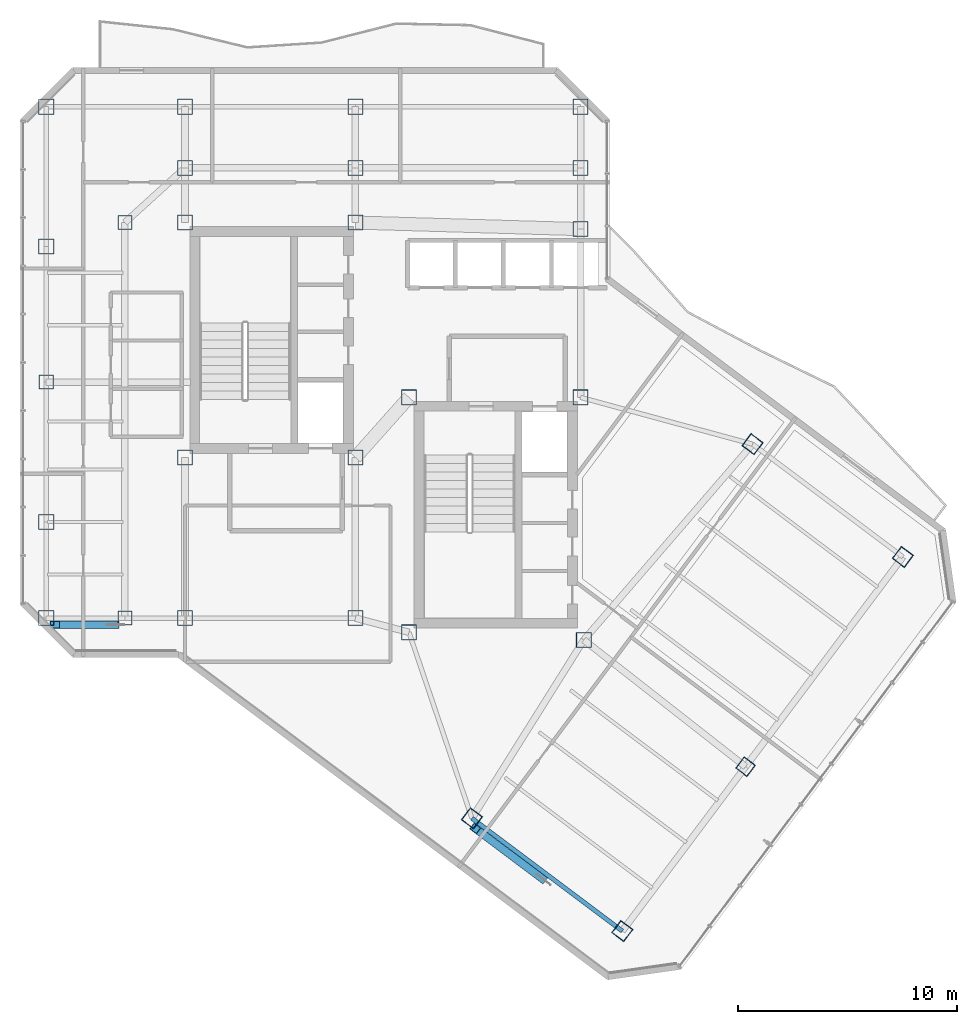
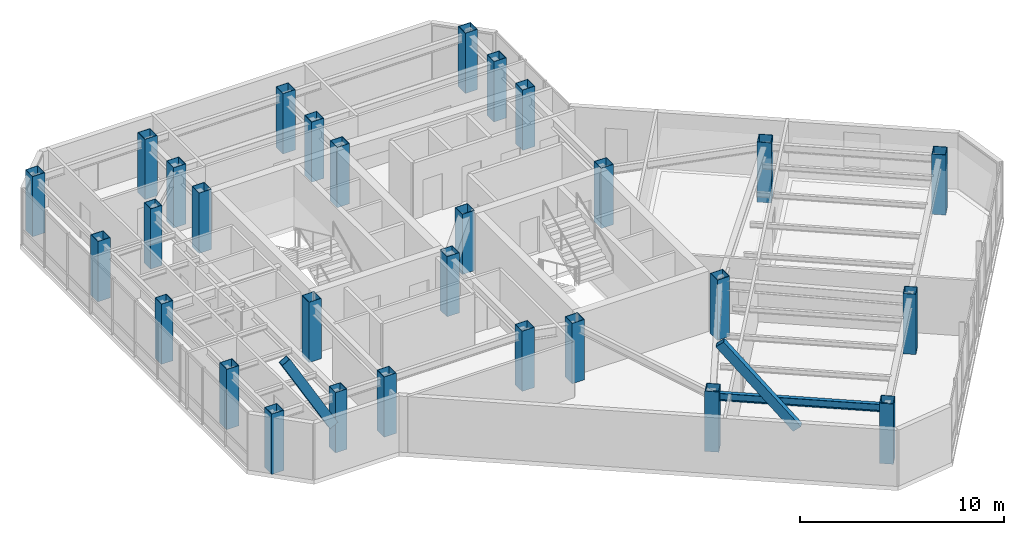
# One storey, part 1 of 25: 29 columns, 2 members, 1 beam.
"""IFC4 building model written with IfcOpenShell, lengths in metres."""

from ifc_helpers import new_model, si_unit, direction, frame, origin, origin_2d, place, context, subcontext, project, spatial, hollow_rectangle, i_section, extrude, material, material_profile, profile_set, type_object, element, save


model = new_model("IFC4")

# Units and contexts
model_context = context("Model", 3, precision=1e-05, world=origin(), true_north=direction((0.0, 1.0)))
body_context = subcontext(model_context, "Body", "Model", "MODEL_VIEW")
ifc_project = project(units=[si_unit("LENGTHUNIT", "METRE"), si_unit("AREAUNIT", "SQUARE_METRE"), si_unit("VOLUMEUNIT", "CUBIC_METRE"), si_unit("PLANEANGLEUNIT", "RADIAN"), si_unit("MASSUNIT", "GRAM", prefix="KILO")], contexts=[model_context])

# Site, building, storey
site_placement = place(None, origin())
site = spatial("IfcSite", under=ifc_project, at=site_placement, CompositionType="ELEMENT")
building_placement = place(site_placement, origin())
building = spatial("IfcBuilding", under=site, at=building_placement, Name="Hatsunagi Terrace Concourse", CompositionType="ELEMENT")
storey_placement = place(building_placement, frame((0.0, 0.0, 216.75)))
storey = spatial("IfcBuildingStorey", under=building, at=storey_placement, Name="L57", CompositionType="ELEMENT", Elevation=216.75)

# Columns
ifc_material_1 = material(Name="Steel BCP325T", Category="steel")
ifc_material_profile_1 = material_profile(ifc_material_1, hollow_rectangle(XDim=0.64990234375, YDim=0.64990234375, WallThickness=0.02490234375, at=origin_2d()), Name="BCP-650x650x25")
ifc_profile_set_1 = profile_set([ifc_material_profile_1], Name="Steel BCP325T")
column_type_1 = type_object("IfcColumnType", Name="TowerBoxColumn_650x650x25", PredefinedType="COLUMN", material=ifc_profile_set_1)
for number, where, z_axis, x_axis, name in (
    (1, (22.800048828125, 25.199951171875, 0.0), (0.0, 0.0, 1.0), (1.0, 0.0, 0.0), "Column C-09 L57-CW1"),
    (2, (22.800048828125, 43.300048828125, 0.0), (0.0, 0.0, 1.0), (1.0, 0.0, 0.0), "Column C-09 L57-CW2"),
    (3, (19.199951171875, 36.0, 0.0), (0.0, 0.0, 1.0), (1.0, 0.0, 0.0), "Column C-09 L57-WT2"),
    (4, (51.199951171875, 18.39990234375, 0.0), (0.0, 0.0, 1.0), (0.799999996291, -0.600000004945, 0.0), "Column C-09 L57-SEM2"),
):
    element("IfcColumn", number, at=place(storey_placement, frame(where, z_axis=z_axis, x_axis=x_axis)), inside=storey, type_object=column_type_1, Name=name, PredefinedType="COLUMN", context=body_context, shape_type="SweptSolid", body=[
        extrude(hollow_rectangle(XDim=0.64990234375, YDim=0.64990234375, WallThickness=0.02490234375, at=origin_2d()), origin(), (0.0, 0.0, 1.0), 3.60009765625),
    ])
ifc_material_2 = material(Name="Steel BCP325T", Category="steel")
ifc_material_profile_2 = material_profile(ifc_material_2, hollow_rectangle(XDim=0.699951171875, YDim=0.699951171875, WallThickness=0.028076171875, at=origin_2d()), Name="BCP-700x700x28")
ifc_profile_set_2 = profile_set([ifc_material_profile_2], Name="Steel BCP325T")
column_type_2 = type_object("IfcColumnType", Name="TowerBoxColumn_700x700x28", PredefinedType="COLUMN", material=ifc_profile_set_2)
for number, where, z_axis, x_axis, name in (
    (5, (25.550048828125, 32.550048828125, 0.0), (0.0, 0.0, 1.0), (1.0, 0.0, 0.0), "Column C-08 L57-CASW"),
    (6, (33.35009765625, 32.550048828125, 0.0), (0.0, 0.0, 1.0), (1.0, 0.0, 0.0), "Column C-08 L57-CASE"),
    (7, (25.550048828125, 43.300048828125, 0.0), (0.0, 0.0, 1.0), (1.0, 0.0, 0.0), "Column C-08 L57-CANW"),
    (8, (33.35009765625, 43.300048828125, 0.0), (0.0, 0.0, 1.0), (1.0, 0.0, 0.0), "Column C-08 L57-CANE"),
    (9, (35.800048828125, 24.550048828125, 0.0), (0.0, 0.0, 1.0), (1.0, 0.0, 0.0), "Column C-08 L57-CBSW"),
    (10, (43.800048828125, 24.199951171875, 0.0), (0.0, 0.0, 1.0), (1.0, 0.0, 0.0), "Column C-08 L57-CBSE"),
    (11, (35.800048828125, 35.300048828125, 0.0), (0.0, 0.0, 1.0), (1.0, 0.0, 0.0), "Column C-08 L57-CBNW"),
    (12, (43.64990234375, 35.300048828125, 0.0), (0.0, 0.0, 1.0), (1.0, 0.0, 0.0), "Column C-08 L57-CBNE"),
    (13, (25.550048828125, 25.199951171875, 0.0), (0.0, 0.0, 1.0), (1.0, 0.0, 0.0), "Column C-08 L57-K1"),
    (14, (33.35009765625, 25.199951171875, 0.0), (0.0, 0.0, 1.0), (1.0, 0.0, 0.0), "Column C-08 L57-K2"),
    (15, (43.64990234375, 43.0, 0.0), (0.0, 0.0, 1.0), (1.0, 0.0, 0.0), "Column C-08 L57-K3"),
    (16, (25.550048828125, 45.800048828125, 0.0), (0.0, 0.0, 1.0), (1.0, 0.0, 0.0), "Column C-08 L57-CN1"),
    (17, (33.35009765625, 45.800048828125, 0.0), (0.0, 0.0, 1.0), (1.0, 0.0, 0.0), "Column C-08 L57-CN2"),
    (18, (43.64990234375, 45.800048828125, 0.0), (0.0, 0.0, 1.0), (1.0, 0.0, 0.0), "Column C-08 L57-CN3"),
    (19, (19.199951171875, 48.60009765625, 0.0), (0.0, 0.0, 1.0), (1.0, 0.0, 0.0), "Column C-08 L57-WN3"),
    (20, (25.550048828125, 48.60009765625, 0.0), (0.0, 0.0, 1.0), (1.0, 0.0, 0.0), "Column C-08 L57-WN4"),
    (21, (33.35009765625, 48.60009765625, 0.0), (0.0, 0.0, 1.0), (1.0, 0.0, 0.0), "Column C-08 L57-WN5"),
    (22, (43.64990234375, 48.60009765625, 0.0), (0.0, 0.0, 1.0), (1.0, 0.0, 0.0), "Column C-08 L57-WN6"),
    (23, (19.199951171875, 25.199951171875, 0.0), (0.0, 0.0, 1.0), (1.0, 0.0, 0.0), "Column C-08 L57-WS3"),
    (24, (19.199951171875, 29.60009765625, 0.0), (0.0, 0.0, 1.0), (1.0, 0.0, 0.0), "Column C-08 L57-WR1"),
    (25, (19.199951171875, 42.199951171875, 0.0), (0.0, 0.0, 1.0), (1.0, 0.0, 0.0), "Column C-08 L57-WR2"),
    (26, (38.679931640625, 16.0400390625, 0.0), (0.0, 0.0, 1.0), (0.799999996291, -0.600000004945, 0.0), "Column C-08 L57-SES1"),
    (27, (51.52001953125, 33.159912109375, 0.0), (0.0, 0.0, 1.0), (0.799999996291, -0.600000004945, 0.0), "Column C-08 L57-SEN1"),
    (28, (45.56005859375, 10.8798828125, 0.0), (0.0, 0.0, 1.0), (0.799999996291, -0.600000004945, 0.0), "Column C-08 L57-SES2"),
    (29, (58.39990234375, 28.0, 0.0), (0.0, 0.0, 1.0), (0.799999996291, -0.600000004945, 0.0), "Column C-08 L57-SEN2"),
):
    element("IfcColumn", number, at=place(storey_placement, frame(where, z_axis=z_axis, x_axis=x_axis)), inside=storey, type_object=column_type_2, Name=name, PredefinedType="COLUMN", context=body_context, shape_type="SweptSolid", body=[
        extrude(hollow_rectangle(XDim=0.699951171875, YDim=0.699951171875, WallThickness=0.028076171875, at=origin_2d()), origin(), (0.0, 0.0, 1.0), 3.60009765625),
    ])

# Beam
ifc_material_3 = material(Name="Steel SN490B", Category="steel")
ifc_material_profile_3 = material_profile(ifc_material_3, i_section(OverallWidth=0.199951171875, OverallDepth=0.449951171875, WebThickness=0.009033203125, FlangeThickness=0.013916015625, FilletRadius=0.01611328125, at=origin_2d()), Name="H-450x200x9x14")
ifc_profile_set_3 = profile_set([ifc_material_profile_3], Name="Steel SN490B")
beam_type = type_object("IfcBeamType", Name="PerimeterSpandrel_H_450x200", PredefinedType="SPANDREL", material=ifc_profile_set_3)
beam_placement = place(storey_placement, frame((38.679931640625, 16.0400390625, 3.125), z_axis=(0.799996593451, -0.600004542038, 0.0), x_axis=(0.600004542038, 0.799996593451, 0.0)))
element("IfcBeam", 30, at=beam_placement, inside=storey, type_object=beam_type, Name="Beam SP-02 BM-L57-SE-SW2", PredefinedType="SPANDREL", context=body_context, shape_type="SweptSolid", body=[
    extrude(i_section(OverallWidth=0.199951171875, OverallDepth=0.449951171875, WebThickness=0.009033203125, FlangeThickness=0.013916015625, FilletRadius=0.01611328125, at=origin_2d()), origin(), (0.0, 0.0, 1.0), 8.60009765625),
])

# Members
ifc_material_4 = material(Name="Steel SN490B", Category="steel")
ifc_material_profile_4 = material_profile(ifc_material_4, hollow_rectangle(XDim=0.35009765625, YDim=0.5, WallThickness=0.02197265625, at=origin_2d()), Name="RHS-500x350x22")
ifc_profile_set_4 = profile_set([ifc_material_profile_4], Name="Steel SN490B")
member_type = type_object("IfcMemberType", Name="PerimeterXBrace_Upper_RHS_500x350x22", PredefinedType="BRACE", material=ifc_profile_set_4)
member_1_placement = place(storey_placement, frame((19.60009765625, 24.89990234375, 6.510009765625), z_axis=(0.497671673411, 0.0, -0.867365497057), x_axis=(0.0, 1.0, 0.0)))
element("IfcMember", 31, at=member_1_placement, inside=storey, type_object=member_type, Name="Perimeter X-Brace Split Upper XB-03 XB-L56-W1B1", PredefinedType="BRACE", context=body_context, shape_type="SweptSolid", body=[
    extrude(hollow_rectangle(XDim=0.35009765625, YDim=0.5, WallThickness=0.02197265625, at=origin_2d()), origin(), (0.0, 0.0, 1.0), 5.43505859375),
])
member_2_placement = place(storey_placement, frame((38.83203125, 15.575927734375, 6.510009765625), z_axis=(0.502319538306, -0.376629081511, -0.778348004685), x_axis=(0.599887279023, 0.800084528326, 0.0)))
element("IfcMember", 32, at=member_2_placement, inside=storey, type_object=member_type, Name="Perimeter X-Brace Split Upper XB-03 XB-L56-SEB1", PredefinedType="BRACE", context=body_context, shape_type="SweptSolid", body=[
    extrude(hollow_rectangle(XDim=0.35009765625, YDim=0.5, WallThickness=0.02197265625, at=origin_2d()), origin(), (0.0, 0.0, 1.0), 6.072021484375),
])

save(model, "model.ifc")
